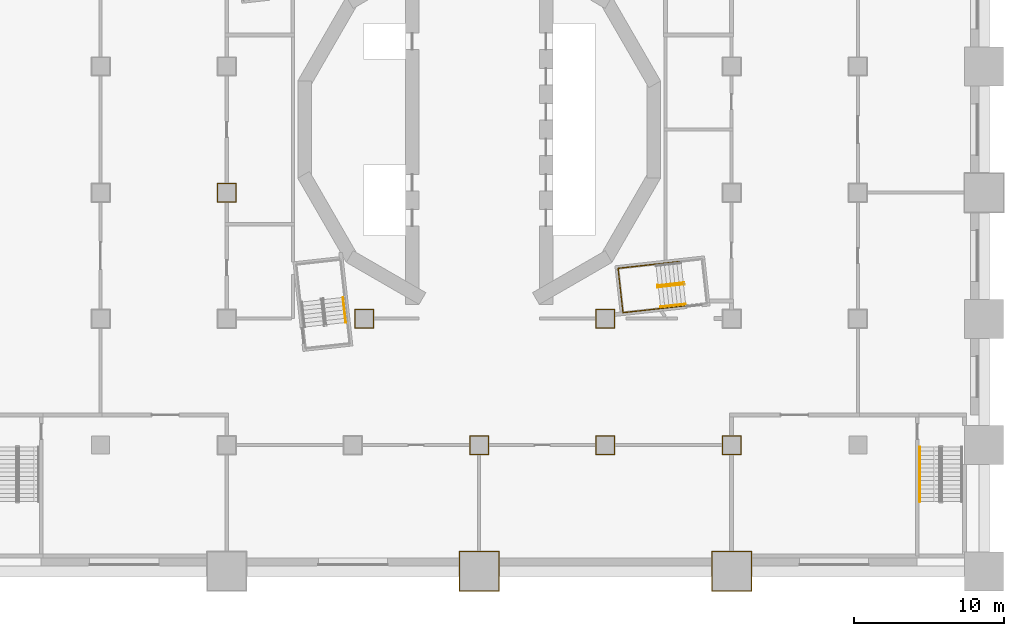
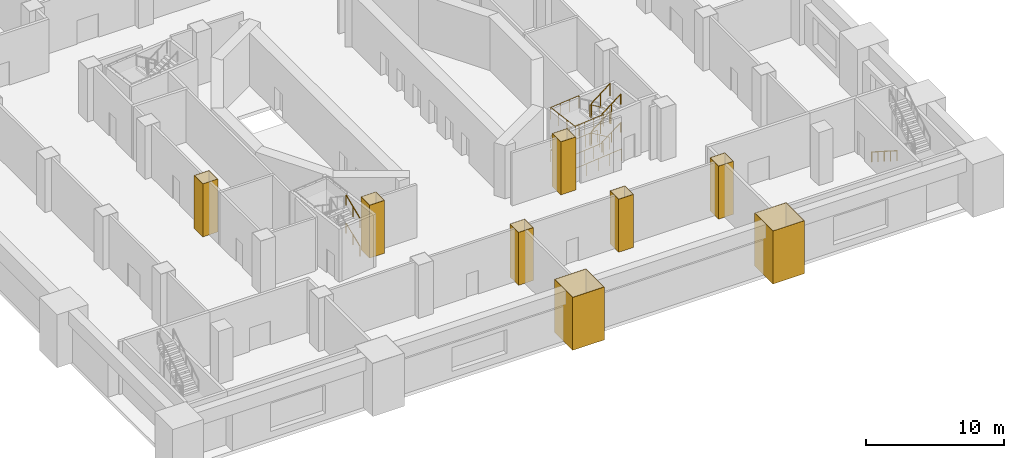
# One storey, part 10 of 17: 12 railings, 8 coverings.
"""IFC4 building model written with IfcOpenShell, lengths in metres."""

from ifc_helpers import new_model, si_unit, direction, frame, origin, origin_2d, place, context, subcontext, project, spatial, polyline, circle, outline, extrude, material, layer, layer_set, type_object, element, save


model = new_model("IFC4")

# Units and contexts
model_context = context("Model", 3, precision=1e-05, world=origin(), true_north=direction((0.0, 1.0)))
body_context = subcontext(model_context, "Body", "Model", "MODEL_VIEW")
ifc_project = project(units=[si_unit("LENGTHUNIT", "METRE"), si_unit("AREAUNIT", "SQUARE_METRE"), si_unit("VOLUMEUNIT", "CUBIC_METRE"), si_unit("PLANEANGLEUNIT", "RADIAN"), si_unit("MASSUNIT", "GRAM", prefix="KILO")], contexts=[model_context])

# Site, building, storey
site_placement = place(None, origin())
site = spatial("IfcSite", under=ifc_project, at=site_placement, CompositionType="ELEMENT")
building_placement = place(site_placement, origin())
building = spatial("IfcBuilding", under=site, at=building_placement, Name="Cantera Rosa Tower", CompositionType="ELEMENT")
storey_placement = place(building_placement, frame((0.0, 0.0, 27.0)))
storey = spatial("IfcBuildingStorey", under=building, at=storey_placement, Name="L04", CompositionType="ELEMENT", Elevation=27.0)

# Coverings
ifc_material_1 = material(Name="Plaster")
ifc_layer = layer(ifc_material_1, 0.030029296875)
ifc_layer_set = layer_set([ifc_layer], Name="Column casing 30")
covering_type = type_object("IfcCoveringType", Name="Column casing 30", PredefinedType="CLADDING", material=ifc_layer_set)
covering_1_placement = place(storey_placement, origin())
element("IfcCovering", 1, at=covering_1_placement, inside=storey, type_object=covering_type, Name="Column casing L04-008", PredefinedType="CLADDING", context=body_context, shape_type="SweptSolid", body=[
    extrude(outline(polyline([(-17.429931640625, -4.830078125), (-16.169921875, -4.830078125), (-16.169921875, -3.570068359375), (-17.429931640625, -3.570068359375), (-17.429931640625, -4.830078125)]), holes=[polyline([(-16.199951171875, -3.60009765625), (-17.39990234375, -3.60009765625), (-17.39990234375, -4.800048828125), (-16.199951171875, -4.800048828125), (-16.199951171875, -3.60009765625)])]), origin(), (0.0, 0.0, 1.0), 4.699951171875),
])
covering_2_placement = place(storey_placement, origin())
element("IfcCovering", 2, at=covering_2_placement, inside=storey, type_object=covering_type, Name="Column casing L04-014", PredefinedType="CLADDING", context=body_context, shape_type="SweptSolid", body=[
    extrude(outline(polyline([(-8.280029296875, -13.22998046875), (-7.02001953125, -13.22998046875), (-7.02001953125, -11.969970703125), (-8.280029296875, -11.969970703125), (-8.280029296875, -13.22998046875)]), holes=[polyline([(-7.050048828125, -12.0), (-8.25, -12.0), (-8.25, -13.199951171875), (-7.050048828125, -13.199951171875), (-7.050048828125, -12.0)])]), origin(), (0.0, 0.0, 1.0), 4.699951171875),
])
covering_3_placement = place(storey_placement, origin())
element("IfcCovering", 3, at=covering_3_placement, inside=storey, type_object=covering_type, Name="Column casing L04-017", PredefinedType="CLADDING", context=body_context, shape_type="SweptSolid", body=[
    extrude(outline(polyline([(-1.330078125, -30.72998046875), (1.330078125, -30.72998046875), (1.330078125, -28.070068359375), (-1.330078125, -28.070068359375), (-1.330078125, -30.72998046875)]), holes=[polyline([(1.300048828125, -28.10009765625), (-1.300048828125, -28.10009765625), (-1.300048828125, -30.699951171875), (1.300048828125, -30.699951171875), (1.300048828125, -28.10009765625)])]), origin(), (0.0, 0.0, 1.0), 4.699951171875),
])
covering_4_placement = place(storey_placement, origin())
element("IfcCovering", 4, at=covering_4_placement, inside=storey, type_object=covering_type, Name="Column casing L04-018", PredefinedType="CLADDING", context=body_context, shape_type="SweptSolid", body=[
    extrude(outline(polyline([(-0.6298828125, -21.6298828125), (0.6298828125, -21.6298828125), (0.6298828125, -20.3701171875), (-0.6298828125, -20.3701171875), (-0.6298828125, -21.6298828125)]), holes=[polyline([(0.60009765625, -20.39990234375), (-0.60009765625, -20.39990234375), (-0.60009765625, -21.60009765625), (0.60009765625, -21.60009765625), (0.60009765625, -20.39990234375)])]), origin(), (0.0, 0.0, 1.0), 4.699951171875),
])
covering_5_placement = place(storey_placement, origin())
element("IfcCovering", 5, at=covering_5_placement, inside=storey, type_object=covering_type, Name="Column casing L04-020", PredefinedType="CLADDING", context=body_context, shape_type="SweptSolid", body=[
    extrude(outline(polyline([(7.77001953125, -21.6298828125), (9.030029296875, -21.6298828125), (9.030029296875, -20.3701171875), (7.77001953125, -20.3701171875), (7.77001953125, -21.6298828125)]), holes=[polyline([(9.0, -20.39990234375), (7.800048828125, -20.39990234375), (7.800048828125, -21.60009765625), (9.0, -21.60009765625), (9.0, -20.39990234375)])]), origin(), (0.0, 0.0, 1.0), 4.699951171875),
])
covering_6_placement = place(storey_placement, origin())
element("IfcCovering", 6, at=covering_6_placement, inside=storey, type_object=covering_type, Name="Column casing L04-021", PredefinedType="CLADDING", context=body_context, shape_type="SweptSolid", body=[
    extrude(outline(polyline([(7.77001953125, -13.22998046875), (9.030029296875, -13.22998046875), (9.030029296875, -11.969970703125), (7.77001953125, -11.969970703125), (7.77001953125, -13.22998046875)]), holes=[polyline([(9.0, -12.0), (7.800048828125, -12.0), (7.800048828125, -13.199951171875), (9.0, -13.199951171875), (9.0, -12.0)])]), origin(), (0.0, 0.0, 1.0), 4.699951171875),
])
covering_7_placement = place(storey_placement, origin())
element("IfcCovering", 7, at=covering_7_placement, inside=storey, type_object=covering_type, Name="Column casing L04-024", PredefinedType="CLADDING", context=body_context, shape_type="SweptSolid", body=[
    extrude(outline(polyline([(15.469970703125, -30.72998046875), (18.1298828125, -30.72998046875), (18.1298828125, -28.070068359375), (15.469970703125, -28.070068359375), (15.469970703125, -30.72998046875)]), holes=[polyline([(18.10009765625, -28.10009765625), (15.5, -28.10009765625), (15.5, -30.699951171875), (18.10009765625, -30.699951171875), (18.10009765625, -28.10009765625)])]), origin(), (0.0, 0.0, 1.0), 4.699951171875),
])
covering_8_placement = place(storey_placement, origin())
element("IfcCovering", 8, at=covering_8_placement, inside=storey, type_object=covering_type, Name="Column casing L04-025", PredefinedType="CLADDING", context=body_context, shape_type="SweptSolid", body=[
    extrude(outline(polyline([(16.169921875, -21.6298828125), (17.429931640625, -21.6298828125), (17.429931640625, -20.3701171875), (16.169921875, -20.3701171875), (16.169921875, -21.6298828125)]), holes=[polyline([(17.39990234375, -20.39990234375), (16.199951171875, -20.39990234375), (16.199951171875, -21.60009765625), (17.39990234375, -21.60009765625), (17.39990234375, -20.39990234375)])]), origin(), (0.0, 0.0, 1.0), 4.699951171875),
])

# Railings
ifc_material_2 = material(Name="Steel S355J2 (EN 10025-2)", Category="steel")
railing_type_1 = type_object("IfcRailingType", Name="STAIR GUARD 1100", PredefinedType="GUARDRAIL", material=ifc_material_2)
railing_1_placement = place(storey_placement, frame((13.5859375, -10.19677734375, 0.178466796875)))
element("IfcRailing", 9, at=railing_1_placement, inside=storey, type_object=railing_type_1, Name="L04 ST-14 stair guard 1", PredefinedType="GUARDRAIL", context=body_context, shape_type="SweptSolid", body=[
    extrude(circle(Radius=0.02392578125, at=origin_2d()), frame((0.0, 0.0, 1.076171875), z_axis=(-0.837950904326, -0.092996744609, 0.537763784046), x_axis=(0.110303920128, -0.993897904819, 0.0)), (0.0, 0.0, 1.0), 1.99267578125),
    extrude(circle(Radius=0.02392578125, at=origin_2d()), frame((-1.669677734375, -0.185302734375, 2.1474609375), z_axis=(-0.932897555956, 0.360141847183, 0.0), x_axis=(-0.360141847183, -0.932897555956, 0.0)), (0.0, 0.0, 1.0), 0.05615234375),
    extrude(circle(Radius=0.02392578125, at=origin_2d()), frame((-1.72216796875, -0.1650390625, 2.1474609375), z_axis=(0.110610055588, -0.993863881828, 0.0), x_axis=(0.993863881828, 0.110610055588, 0.0)), (0.0, 0.0, 1.0), 0.150146484375),
    extrude(circle(Radius=0.02099609375, at=origin_2d()), origin(), (0.0, 0.0, 1.0), 1.052001953125),
    extrude(circle(Radius=0.02099609375, at=origin_2d()), frame((-0.8349609375, -0.0927734375, 0.53564453125)), (0.0, 0.0, 1.0), 1.052001953125),
    extrude(circle(Radius=0.02099609375, at=origin_2d()), frame((-1.669677734375, -0.185302734375, 1.071533203125)), (0.0, 0.0, 1.0), 1.052001953125),
    extrude(circle(Radius=0.02099609375, at=origin_2d()), frame((-1.72216796875, -0.1650390625, 1.071533203125)), (0.0, 0.0, 1.0), 1.052001953125),
    extrude(circle(Radius=0.02099609375, at=origin_2d()), frame((-1.70556640625, -0.314208984375, 1.071533203125)), (0.0, 0.0, 1.0), 1.052001953125),
])
railing_2_placement = place(storey_placement, frame((11.927001953125, -10.4794921875, 1.428466796875)))
element("IfcRailing", 10, at=railing_2_placement, inside=storey, type_object=railing_type_1, Name="L04 ST-14 stair guard 2", PredefinedType="GUARDRAIL", context=body_context, shape_type="SweptSolid", body=[
    extrude(circle(Radius=0.02392578125, at=origin_2d()), frame((0.0, 0.0, 1.076171875), z_axis=(0.837987391448, 0.092987197384, 0.537708576179), x_axis=(-0.11028798999, 0.993899672635, 0.0)), (0.0, 0.0, 1.0), 1.99267578125),
    extrude(circle(Radius=0.02392578125, at=origin_2d()), frame((1.669921875, 0.185302734375, 2.1474609375), z_axis=(0.931434406233, -0.363909256389, 0.0), x_axis=(0.363909256389, 0.931434406233, 0.0)), (0.0, 0.0, 1.0), 0.056396484375),
    extrude(circle(Radius=0.02392578125, at=origin_2d()), frame((1.722412109375, 0.164794921875, 2.1474609375), z_axis=(-0.110610055588, 0.993863881828, 0.0), x_axis=(-0.993863881828, -0.110610055588, 0.0)), (0.0, 0.0, 1.0), 0.150146484375),
    extrude(circle(Radius=0.02099609375, at=origin_2d()), origin(), (0.0, 0.0, 1.0), 1.052001953125),
    extrude(circle(Radius=0.02099609375, at=origin_2d()), frame((0.8349609375, 0.0927734375, 0.53564453125)), (0.0, 0.0, 1.0), 1.052001953125),
    extrude(circle(Radius=0.02099609375, at=origin_2d()), frame((1.669921875, 0.185302734375, 1.071533203125)), (0.0, 0.0, 1.0), 1.052001953125),
    extrude(circle(Radius=0.02099609375, at=origin_2d()), frame((1.722412109375, 0.164794921875, 1.071533203125)), (0.0, 0.0, 1.0), 1.052001953125),
    extrude(circle(Radius=0.02099609375, at=origin_2d()), frame((1.705810546875, 0.31396484375, 1.071533203125)), (0.0, 0.0, 1.0), 1.052001953125),
])
railing_3_placement = place(storey_placement, frame((13.5859375, -10.19677734375, 2.678466796875)))
element("IfcRailing", 11, at=railing_3_placement, inside=storey, type_object=railing_type_1, Name="L04 ST-14 stair guard 3", PredefinedType="GUARDRAIL", context=body_context, shape_type="SweptSolid", body=[
    extrude(circle(Radius=0.02392578125, at=origin_2d()), frame((0.0, 0.0, 1.076171875), z_axis=(-0.837950904326, -0.092996744609, 0.537763784046), x_axis=(0.110303920128, -0.993897904819, 0.0)), (0.0, 0.0, 1.0), 1.99267578125),
    extrude(circle(Radius=0.02392578125, at=origin_2d()), frame((-1.669677734375, -0.185302734375, 2.1474609375), z_axis=(-0.932897555956, 0.360141847183, 0.0), x_axis=(-0.360141847183, -0.932897555956, 0.0)), (0.0, 0.0, 1.0), 0.05615234375),
    extrude(circle(Radius=0.02392578125, at=origin_2d()), frame((-1.72216796875, -0.1650390625, 2.1474609375), z_axis=(0.110610055588, -0.993863881828, 0.0), x_axis=(0.993863881828, 0.110610055588, 0.0)), (0.0, 0.0, 1.0), 0.150146484375),
    extrude(circle(Radius=0.02099609375, at=origin_2d()), origin(), (0.0, 0.0, 1.0), 1.052001953125),
    extrude(circle(Radius=0.02099609375, at=origin_2d()), frame((-0.8349609375, -0.0927734375, 0.53564453125)), (0.0, 0.0, 1.0), 1.052001953125),
    extrude(circle(Radius=0.02099609375, at=origin_2d()), frame((-1.669677734375, -0.185302734375, 1.071533203125)), (0.0, 0.0, 1.0), 1.052001953125),
    extrude(circle(Radius=0.02099609375, at=origin_2d()), frame((-1.72216796875, -0.1650390625, 1.071533203125)), (0.0, 0.0, 1.0), 1.052001953125),
    extrude(circle(Radius=0.02099609375, at=origin_2d()), frame((-1.70556640625, -0.314208984375, 1.071533203125)), (0.0, 0.0, 1.0), 1.052001953125),
])
railing_4_placement = place(storey_placement, frame((11.927001953125, -10.4794921875, 3.928466796875)))
element("IfcRailing", 12, at=railing_4_placement, inside=storey, type_object=railing_type_1, Name="L04 ST-14 stair guard 4", PredefinedType="GUARDRAIL", context=body_context, shape_type="SweptSolid", body=[
    extrude(circle(Radius=0.02392578125, at=origin_2d()), frame((0.0, 0.0, 1.076171875), z_axis=(0.837987391448, 0.092987197384, 0.537708576179), x_axis=(-0.11028798999, 0.993899672635, 0.0)), (0.0, 0.0, 1.0), 1.99267578125),
    extrude(circle(Radius=0.02099609375, at=origin_2d()), origin(), (0.0, 0.0, 1.0), 1.052001953125),
    extrude(circle(Radius=0.02099609375, at=origin_2d()), frame((0.8349609375, 0.0927734375, 0.53564453125)), (0.0, 0.0, 1.0), 1.052001953125),
    extrude(circle(Radius=0.02099609375, at=origin_2d()), frame((1.669921875, 0.185302734375, 1.071533203125)), (0.0, 0.0, 1.0), 1.052001953125),
])
railing_5_placement = place(storey_placement, frame((13.415771484375, -8.77099609375, 0.0)))
element("IfcRailing", 13, at=railing_5_placement, inside=storey, type_object=railing_type_1, Name="L04 ST-14 stair guard 6", PredefinedType="GUARDRAIL", context=body_context, shape_type="SweptSolid", body=[
    extrude(circle(Radius=0.02392578125, at=origin_2d()), frame((0.0, 0.0, 1.076171875), z_axis=(-0.9938957856, -0.110323013767, 0.0), x_axis=(0.110323013767, -0.9938957856, 0.0)), (0.0, 0.0, 1.0), 4.197998046875),
    extrude(circle(Radius=0.02392578125, at=origin_2d()), frame((-4.17236328125, -0.463134765625, 1.076171875), z_axis=(0.110314237986, -0.993896759678, 0.0), x_axis=(0.993896759678, 0.110314237986, 0.0)), (0.0, 0.0, 1.0), 2.969970703125),
    extrude(circle(Radius=0.02392578125, at=origin_2d()), frame((-3.8447265625, -3.4150390625, 1.076171875), z_axis=(0.9938957856, 0.110323013767, 0.0), x_axis=(-0.110323013767, 0.9938957856, 0.0)), (0.0, 0.0, 1.0), 4.197998046875),
    extrude(circle(Radius=0.02099609375, at=origin_2d()), origin(), (0.0, 0.0, 1.0), 1.052001953125),
    extrude(circle(Radius=0.02099609375, at=origin_2d()), frame((-1.04296875, -0.11572265625, 0.0)), (0.0, 0.0, 1.0), 1.052001953125),
    extrude(circle(Radius=0.02099609375, at=origin_2d()), frame((-2.086181640625, -0.2314453125, 0.0)), (0.0, 0.0, 1.0), 1.052001953125),
    extrude(circle(Radius=0.02099609375, at=origin_2d()), frame((-3.12939453125, -0.347412109375, 0.0)), (0.0, 0.0, 1.0), 1.052001953125),
    extrude(circle(Radius=0.02099609375, at=origin_2d()), frame((-4.17236328125, -0.463134765625, 0.0)), (0.0, 0.0, 1.0), 1.052001953125),
    extrude(circle(Radius=0.02099609375, at=origin_2d()), frame((-4.063232421875, -1.447021484375, 0.0)), (0.0, 0.0, 1.0), 1.052001953125),
    extrude(circle(Radius=0.02099609375, at=origin_2d()), frame((-3.953857421875, -2.43115234375, 0.0)), (0.0, 0.0, 1.0), 1.052001953125),
    extrude(circle(Radius=0.02099609375, at=origin_2d()), frame((-3.8447265625, -3.4150390625, 0.0)), (0.0, 0.0, 1.0), 1.052001953125),
    extrude(circle(Radius=0.02099609375, at=origin_2d()), frame((-2.8017578125, -3.29931640625, 0.0)), (0.0, 0.0, 1.0), 1.052001953125),
    extrude(circle(Radius=0.02099609375, at=origin_2d()), frame((-1.758544921875, -3.18359375, 0.0)), (0.0, 0.0, 1.0), 1.052001953125),
    extrude(circle(Radius=0.02099609375, at=origin_2d()), frame((-0.71533203125, -3.067626953125, 0.0)), (0.0, 0.0, 1.0), 1.052001953125),
    extrude(circle(Radius=0.02099609375, at=origin_2d()), frame((0.32763671875, -2.951904296875, 0.0)), (0.0, 0.0, 1.0), 1.052001953125),
])
railing_6_placement = place(storey_placement, frame((11.769775390625, -8.95361328125, 1.25)))
element("IfcRailing", 14, at=railing_6_placement, inside=storey, type_object=railing_type_1, Name="L04 ST-14 stair guard 7", PredefinedType="GUARDRAIL", context=body_context, shape_type="SweptSolid", body=[
    extrude(circle(Radius=0.02392578125, at=origin_2d()), frame((0.0, 0.0, 1.076171875), z_axis=(-0.993891931048, -0.110357733743, 0.0), x_axis=(0.110357733743, -0.993891931048, 0.0)), (0.0, 0.0, 1.0), 2.5419921875),
    extrude(circle(Radius=0.02392578125, at=origin_2d()), frame((-2.5263671875, -0.280517578125, 1.076171875), z_axis=(0.110314237986, -0.993896759678, 0.0), x_axis=(0.993896759678, 0.110314237986, 0.0)), (0.0, 0.0, 1.0), 2.969970703125),
    extrude(circle(Radius=0.02392578125, at=origin_2d()), frame((-2.19873046875, -3.232421875, 1.076171875), z_axis=(0.993891931048, 0.110357733743, 0.0), x_axis=(-0.110357733743, 0.993891931048, 0.0)), (0.0, 0.0, 1.0), 2.5419921875),
    extrude(circle(Radius=0.02099609375, at=origin_2d()), origin(), (0.0, 0.0, 1.0), 1.052001953125),
    extrude(circle(Radius=0.02099609375, at=origin_2d()), frame((-0.842041015625, -0.093505859375, 0.0)), (0.0, 0.0, 1.0), 1.052001953125),
    extrude(circle(Radius=0.02099609375, at=origin_2d()), frame((-1.684326171875, -0.18701171875, 0.0)), (0.0, 0.0, 1.0), 1.052001953125),
    extrude(circle(Radius=0.02099609375, at=origin_2d()), frame((-2.5263671875, -0.280517578125, 0.0)), (0.0, 0.0, 1.0), 1.052001953125),
    extrude(circle(Radius=0.02099609375, at=origin_2d()), frame((-2.417236328125, -1.264404296875, 0.0)), (0.0, 0.0, 1.0), 1.052001953125),
    extrude(circle(Radius=0.02099609375, at=origin_2d()), frame((-2.307861328125, -2.24853515625, 0.0)), (0.0, 0.0, 1.0), 1.052001953125),
    extrude(circle(Radius=0.02099609375, at=origin_2d()), frame((-2.19873046875, -3.232421875, 0.0)), (0.0, 0.0, 1.0), 1.052001953125),
    extrude(circle(Radius=0.02099609375, at=origin_2d()), frame((-1.356689453125, -3.138916015625, 0.0)), (0.0, 0.0, 1.0), 1.052001953125),
    extrude(circle(Radius=0.02099609375, at=origin_2d()), frame((-0.514404296875, -3.04541015625, 0.0)), (0.0, 0.0, 1.0), 1.052001953125),
    extrude(circle(Radius=0.02099609375, at=origin_2d()), frame((0.32763671875, -2.951904296875, 0.0)), (0.0, 0.0, 1.0), 1.052001953125),
])
railing_7_placement = place(storey_placement, frame((11.769775390625, -8.95361328125, 3.75)))
element("IfcRailing", 15, at=railing_7_placement, inside=storey, type_object=railing_type_1, Name="L04 ST-14 stair guard 9", PredefinedType="GUARDRAIL", context=body_context, shape_type="SweptSolid", body=[
    extrude(circle(Radius=0.02392578125, at=origin_2d()), frame((0.0, 0.0, 1.076171875), z_axis=(-0.993891931048, -0.110357733743, 0.0), x_axis=(0.110357733743, -0.993891931048, 0.0)), (0.0, 0.0, 1.0), 2.5419921875),
    extrude(circle(Radius=0.02392578125, at=origin_2d()), frame((-2.5263671875, -0.280517578125, 1.076171875), z_axis=(0.110314237986, -0.993896759678, 0.0), x_axis=(0.993896759678, 0.110314237986, 0.0)), (0.0, 0.0, 1.0), 2.969970703125),
    extrude(circle(Radius=0.02392578125, at=origin_2d()), frame((-2.19873046875, -3.232421875, 1.076171875), z_axis=(0.993891931048, 0.110357733743, 0.0), x_axis=(-0.110357733743, 0.993891931048, 0.0)), (0.0, 0.0, 1.0), 2.5419921875),
    extrude(circle(Radius=0.02099609375, at=origin_2d()), origin(), (0.0, 0.0, 1.0), 1.052001953125),
    extrude(circle(Radius=0.02099609375, at=origin_2d()), frame((-0.842041015625, -0.093505859375, 0.0)), (0.0, 0.0, 1.0), 1.052001953125),
    extrude(circle(Radius=0.02099609375, at=origin_2d()), frame((-1.684326171875, -0.18701171875, 0.0)), (0.0, 0.0, 1.0), 1.052001953125),
    extrude(circle(Radius=0.02099609375, at=origin_2d()), frame((-2.5263671875, -0.280517578125, 0.0)), (0.0, 0.0, 1.0), 1.052001953125),
    extrude(circle(Radius=0.02099609375, at=origin_2d()), frame((-2.417236328125, -1.264404296875, 0.0)), (0.0, 0.0, 1.0), 1.052001953125),
    extrude(circle(Radius=0.02099609375, at=origin_2d()), frame((-2.307861328125, -2.24853515625, 0.0)), (0.0, 0.0, 1.0), 1.052001953125),
    extrude(circle(Radius=0.02099609375, at=origin_2d()), frame((-2.19873046875, -3.232421875, 0.0)), (0.0, 0.0, 1.0), 1.052001953125),
    extrude(circle(Radius=0.02099609375, at=origin_2d()), frame((-1.356689453125, -3.138916015625, 0.0)), (0.0, 0.0, 1.0), 1.052001953125),
    extrude(circle(Radius=0.02099609375, at=origin_2d()), frame((-0.514404296875, -3.04541015625, 0.0)), (0.0, 0.0, 1.0), 1.052001953125),
    extrude(circle(Radius=0.02099609375, at=origin_2d()), frame((0.32763671875, -2.951904296875, 0.0)), (0.0, 0.0, 1.0), 1.052001953125),
])
ifc_material_3 = material(Name="Steel S355J2 (EN 10025-2)", Category="steel")
railing_type_2 = type_object("IfcRailingType", Name="STAIR HANDRAIL 900", PredefinedType="HANDRAIL", material=ifc_material_3)
for number, where, name in (
    (16, (-8.87890625, -12.83984375, 0.178466796875), "L04 ST-13 stair handrail 1"),
    (17, (-8.87890625, -12.83984375, 2.678466796875), "L04 ST-13 stair handrail 3"),
):
    element("IfcRailing", number, at=place(storey_placement, frame(where)), inside=storey, type_object=railing_type_2, Name=name, PredefinedType="HANDRAIL", context=body_context, shape_type="SweptSolid", body=[
        extrude(circle(Radius=0.02392578125, at=origin_2d()), frame((0.0, 0.0, 0.8759765625), z_axis=(-0.092987197384, 0.837987391448, 0.537708576179), x_axis=(-0.993899672635, -0.11028798999, 0.0)), (0.0, 0.0, 1.0), 1.99267578125),
        extrude(circle(Radius=0.02099609375, at=origin_2d()), origin(), (0.0, 0.0, 1.0), 0.851806640625),
        extrude(circle(Radius=0.02099609375, at=origin_2d()), frame((-0.0927734375, 0.8349609375, 0.53564453125)), (0.0, 0.0, 1.0), 0.851806640625),
        extrude(circle(Radius=0.02099609375, at=origin_2d()), frame((-0.185302734375, 1.669921875, 1.071533203125)), (0.0, 0.0, 1.0), 0.851806640625),
    ])
for number, where, name in (
    (18, (12.073486328125, -11.797607421875, 1.428466796875), "L04 ST-14 stair handrail 2"),
    (19, (12.073486328125, -11.797607421875, 3.928466796875), "L04 ST-14 stair handrail 4"),
):
    element("IfcRailing", number, at=place(storey_placement, frame(where)), inside=storey, type_object=railing_type_2, Name=name, PredefinedType="HANDRAIL", context=body_context, shape_type="SweptSolid", body=[
        extrude(circle(Radius=0.02392578125, at=origin_2d()), frame((0.0, 0.0, 0.8759765625), z_axis=(0.837941350202, 0.09311820824, 0.537757652586), x_axis=(-0.110447476434, 0.993881962282, 0.0)), (0.0, 0.0, 1.0), 1.99267578125),
        extrude(circle(Radius=0.02099609375, at=origin_2d()), origin(), (0.0, 0.0, 1.0), 0.851806640625),
        extrude(circle(Radius=0.02099609375, at=origin_2d()), frame((0.8349609375, 0.0927734375, 0.53564453125)), (0.0, 0.0, 1.0), 0.851806640625),
        extrude(circle(Radius=0.02099609375, at=origin_2d()), frame((1.669677734375, 0.185546875, 1.071533203125)), (0.0, 0.0, 1.0), 0.851806640625),
    ])
railing_8_placement = place(storey_placement, frame((29.324951171875, -21.125, 0.178466796875)))
element("IfcRailing", 20, at=railing_8_placement, inside=storey, type_object=railing_type_2, Name="L04 ST-SE stair handrail 1", PredefinedType="HANDRAIL", context=body_context, shape_type="SweptSolid", body=[
    extrude(circle(Radius=0.02392578125, at=origin_2d()), frame((0.0, 0.0, 0.8759765625), z_axis=(0.0, -0.843111507901, 0.53773877045), x_axis=(1.0, 0.0, 0.0)), (0.0, 0.0, 1.0), 4.317138671875),
    extrude(circle(Radius=0.02099609375, at=origin_2d()), origin(), (0.0, 0.0, 1.0), 0.851806640625),
    extrude(circle(Radius=0.02099609375, at=origin_2d()), frame((0.0, -0.909912109375, 0.580322265625)), (0.0, 0.0, 1.0), 0.851806640625),
    extrude(circle(Radius=0.02099609375, at=origin_2d()), frame((0.0, -1.81982421875, 1.16064453125)), (0.0, 0.0, 1.0), 0.851806640625),
    extrude(circle(Radius=0.02099609375, at=origin_2d()), frame((0.0, -2.72998046875, 1.7412109375)), (0.0, 0.0, 1.0), 0.851806640625),
    extrude(circle(Radius=0.02099609375, at=origin_2d()), frame((0.0, -3.639892578125, 2.321533203125)), (0.0, 0.0, 1.0), 0.851806640625),
])

save(model, "model.ifc")
